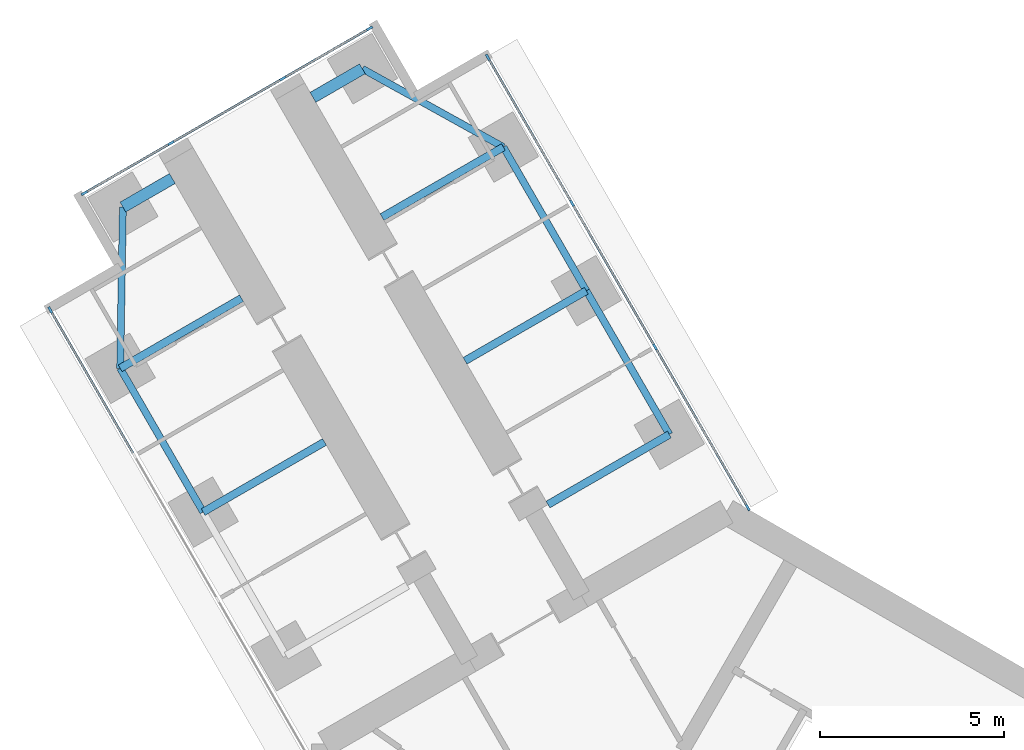
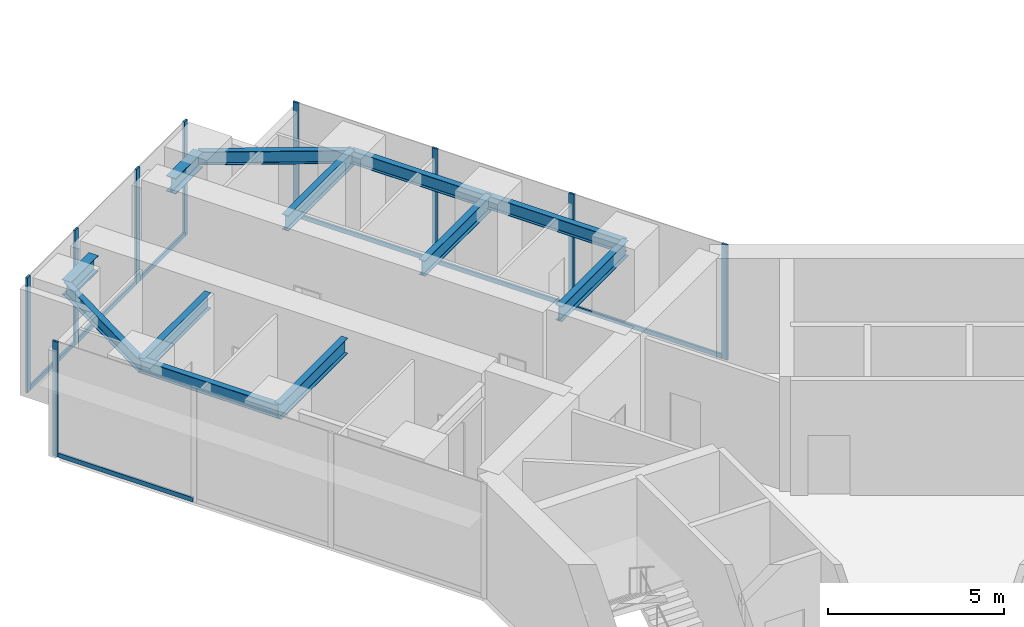
# One storey, part 7 of 25: 16 members, 12 beams, 3 elements without a shape of their own.
"""IFC4 building model written with IfcOpenShell, lengths in metres."""

from ifc_helpers import new_model, si_unit, direction, frame, origin, origin_2d, place, context, subcontext, project, spatial, rectangle, i_section, extrude, material, material_profile, profile_set, type_object, element, aggregate, save


model = new_model("IFC4")

# Units and contexts
model_context = context("Model", 3, precision=1e-05, world=origin(), true_north=direction((0.0, 1.0)))
body_context = subcontext(model_context, "Body", "Model", "MODEL_VIEW")
ifc_project = project(units=[si_unit("LENGTHUNIT", "METRE"), si_unit("AREAUNIT", "SQUARE_METRE"), si_unit("VOLUMEUNIT", "CUBIC_METRE"), si_unit("PLANEANGLEUNIT", "RADIAN"), si_unit("MASSUNIT", "GRAM", prefix="KILO")], contexts=[model_context])

# Site, building, storey
site_placement = place(None, origin())
site = spatial("IfcSite", under=ifc_project, at=site_placement, CompositionType="ELEMENT")
building_placement = place(site_placement, origin())
building = spatial("IfcBuilding", under=site, at=building_placement, Name="Upepo Twin Towers", CompositionType="ELEMENT")
storey_placement = place(building_placement, frame((0.0, 0.0, 88.5)))
storey = spatial("IfcBuildingStorey", under=building, at=storey_placement, Name="L21", CompositionType="ELEMENT", Elevation=88.5)

# Beams
ifc_material_1 = material(Name="Steel S355", Category="steel")
ifc_material_profile_1 = material_profile(ifc_material_1, i_section(OverallWidth=0.1904296875, OverallDepth=0.45703125, WebThickness=0.009033203125, FlangeThickness=0.014404296875, FilletRadius=0.01025390625, at=origin_2d()), Name="UB 457x191x74")
ifc_profile_set_1 = profile_set([ifc_material_profile_1], Name="Steel S355")
beam_type_1 = type_object("IfcBeamType", Name="Beam UB 457x191x74", PredefinedType="BEAM", material=ifc_profile_set_1)
beam_1_placement = place(storey_placement, frame((-14.196044921875, 12.58837890625, 3.471435546875), z_axis=(-0.499990139034, 0.866031096941, 0.0), x_axis=(-0.866031096941, -0.499990139034, 0.0)))
element("IfcBeam", 1, at=beam_1_placement, inside=storey, type_object=beam_type_1, Name="T1 edge beam BL 18.0-22.5", PredefinedType="BEAM", context=body_context, shape_type="SweptSolid", body=[
    extrude(i_section(OverallWidth=0.1904296875, OverallDepth=0.45703125, WebThickness=0.009033203125, FlangeThickness=0.014404296875, FilletRadius=0.01025390625, at=origin_2d()), origin(), (0.0, 0.0, 1.0), 4.5),
])
beam_2_placement = place(storey_placement, frame((-16.446044921875, 16.485595703125, 3.471435546875), z_axis=(0.016803880528, 0.999858804832, 0.0), x_axis=(-0.999858804832, 0.016803880528, 0.0)))
element("IfcBeam", 2, at=beam_2_placement, inside=storey, type_object=beam_type_1, Name="T1 nose edge beam BL", PredefinedType="BEAM", context=body_context, shape_type="SweptSolid", body=[
    extrude(i_section(OverallWidth=0.1904296875, OverallDepth=0.45703125, WebThickness=0.009033203125, FlangeThickness=0.014404296875, FilletRadius=0.01025390625, at=origin_2d()), origin(), (0.0, 0.0, 1.0), 4.373291015625),
])
beam_3_placement = place(storey_placement, frame((-1.553955078125, 14.69140625, 3.471435546875), z_axis=(-0.500013631625, 0.866017533419, 0.0), x_axis=(-0.866017533419, -0.500013631625, 0.0)))
element("IfcBeam", 3, at=beam_3_placement, inside=storey, type_object=beam_type_1, Name="T1 edge beam BR 13.5-18.0", PredefinedType="BEAM", context=body_context, shape_type="SweptSolid", body=[
    extrude(i_section(OverallWidth=0.1904296875, OverallDepth=0.45703125, WebThickness=0.009033203125, FlangeThickness=0.014404296875, FilletRadius=0.01025390625, at=origin_2d()), origin(), (0.0, 0.0, 1.0), 4.499755859375),
])
beam_4_placement = place(storey_placement, frame((-3.803955078125, 18.58837890625, 3.471435546875), z_axis=(-0.499990139034, 0.866031096941, 0.0), x_axis=(-0.866031096941, -0.499990139034, 0.0)))
element("IfcBeam", 4, at=beam_4_placement, inside=storey, type_object=beam_type_1, Name="T1 edge beam BR 18.0-22.5", PredefinedType="BEAM", context=body_context, shape_type="SweptSolid", body=[
    extrude(i_section(OverallWidth=0.1904296875, OverallDepth=0.45703125, WebThickness=0.009033203125, FlangeThickness=0.014404296875, FilletRadius=0.01025390625, at=origin_2d()), origin(), (0.0, 0.0, 1.0), 4.5),
])
beam_5_placement = place(storey_placement, frame((-6.053955078125, 22.485595703125, 3.471435546875), z_axis=(-0.874312600038, 0.485363242752, 0.0), x_axis=(-0.485363242752, -0.874312600038, 0.0)))
element("IfcBeam", 5, at=beam_5_placement, inside=storey, type_object=beam_type_1, Name="T1 nose edge beam BR", PredefinedType="BEAM", context=body_context, shape_type="SweptSolid", body=[
    extrude(i_section(OverallWidth=0.1904296875, OverallDepth=0.45703125, WebThickness=0.009033203125, FlangeThickness=0.014404296875, FilletRadius=0.01025390625, at=origin_2d()), origin(), (0.0, 0.0, 1.0), 4.373046875),
])
ifc_material_2 = material(Name="Steel S355", Category="steel")
ifc_material_profile_2 = material_profile(ifc_material_2, i_section(OverallWidth=0.209228515625, OverallDepth=0.533203125, WebThickness=0.010009765625, FlangeThickness=0.015625, FilletRadius=0.0126953125, at=origin_2d()), Name="UB 533x210x92")
ifc_profile_set_2 = profile_set([ifc_material_profile_2], Name="Steel S355")
beam_type_2 = type_object("IfcBeamType", Name="Beam UB 533x210x92", PredefinedType="BEAM", material=ifc_profile_set_2)
beam_6_placement = place(storey_placement, frame((-14.196044921875, 12.58837890625, 3.433349609375), z_axis=(0.866000483506, 0.500043160704, 0.0), x_axis=(-0.500043160704, 0.866000483506, 0.0)))
element("IfcBeam", 6, at=beam_6_placement, inside=storey, type_object=beam_type_2, Name="T1 girder BL at 18.0", PredefinedType="BEAM", context=body_context, shape_type="SweptSolid", body=[
    extrude(i_section(OverallWidth=0.209228515625, OverallDepth=0.533203125, WebThickness=0.010009765625, FlangeThickness=0.015625, FilletRadius=0.0126953125, at=origin_2d()), origin(), (0.0, 0.0, 1.0), 3.800048828125),
])
beam_7_placement = place(storey_placement, frame((-16.446044921875, 16.485595703125, 3.433349609375), z_axis=(0.866028304915, 0.499994975061, 0.0), x_axis=(-0.499994975061, 0.866028304915, 0.0)))
element("IfcBeam", 7, at=beam_7_placement, inside=storey, type_object=beam_type_2, Name="T1 girder BL at 22.5", PredefinedType="BEAM", context=body_context, shape_type="SweptSolid", body=[
    extrude(i_section(OverallWidth=0.209228515625, OverallDepth=0.533203125, WebThickness=0.010009765625, FlangeThickness=0.015625, FilletRadius=0.0126953125, at=origin_2d()), origin(), (0.0, 0.0, 1.0), 3.7998046875),
])
beam_8_placement = place(storey_placement, frame((-1.553955078125, 14.69140625, 3.433349609375), z_axis=(-0.866000483506, -0.500043160704, 0.0), x_axis=(0.500043160704, -0.866000483506, 0.0)))
element("IfcBeam", 8, at=beam_8_placement, inside=storey, type_object=beam_type_2, Name="T1 girder BR at 13.5", PredefinedType="BEAM", context=body_context, shape_type="SweptSolid", body=[
    extrude(i_section(OverallWidth=0.209228515625, OverallDepth=0.533203125, WebThickness=0.010009765625, FlangeThickness=0.015625, FilletRadius=0.0126953125, at=origin_2d()), origin(), (0.0, 0.0, 1.0), 3.800048828125),
])
for number, where, z_axis, x_axis, name in (
    (9, (-3.803955078125, 18.58837890625, 3.433349609375), (-0.866028304915, -0.499994975061, 0.0), (0.499994975061, -0.866028304915, 0.0), "T1 girder BR at 18.0"),
    (10, (-6.053955078125, 22.485595703125, 3.433349609375), (-0.866028304915, -0.499994975061, 0.0), (0.499994975061, -0.866028304915, 0.0), "T1 girder BR at 22.5"),
):
    element("IfcBeam", number, at=place(storey_placement, frame(where, z_axis=z_axis, x_axis=x_axis)), inside=storey, type_object=beam_type_2, Name=name, PredefinedType="BEAM", context=body_context, shape_type="SweptSolid", body=[
        extrude(i_section(OverallWidth=0.209228515625, OverallDepth=0.533203125, WebThickness=0.010009765625, FlangeThickness=0.015625, FilletRadius=0.0126953125, at=origin_2d()), origin(), (0.0, 0.0, 1.0), 3.7998046875),
    ])
ifc_material_3 = material(Name="Steel S355", Category="steel")
ifc_material_profile_3 = material_profile(ifc_material_3, i_section(OverallWidth=0.31201171875, OverallDepth=0.54345703125, WebThickness=0.0126953125, FlangeThickness=0.020263671875, FilletRadius=0.0126953125, at=origin_2d()), Name="UB 533x312x150")
ifc_profile_set_3 = profile_set([ifc_material_profile_3], Name="Steel S355")
beam_type_3 = type_object("IfcBeamType", Name="Beam UB 533x312x150", PredefinedType="BEAM", material=ifc_profile_set_3)
for number, where, z_axis, x_axis, name in (
    (11, (-16.37255859375, 20.858154296875, 3.42822265625), (0.866043940782, 0.499967891604, 0.0), (-0.499967891604, 0.866043940782, 0.0), "T1 nose beam BL"),
    (12, (-9.87744140625, 24.608154296875, 3.42822265625), (-0.866043940782, -0.499967891604, 0.0), (0.499967891604, -0.866043940782, 0.0), "T1 nose beam BR"),
):
    element("IfcBeam", number, at=place(storey_placement, frame(where, z_axis=z_axis, x_axis=x_axis)), inside=storey, type_object=beam_type_3, Name=name, PredefinedType="BEAM", context=body_context, shape_type="SweptSolid", body=[
        extrude(i_section(OverallWidth=0.31201171875, OverallDepth=0.54345703125, WebThickness=0.0126953125, FlangeThickness=0.020263671875, FilletRadius=0.0126953125, at=origin_2d()), origin(), (0.0, 0.0, 1.0), 1.5498046875),
    ])

# Curtain wall, member
ifc_material_4 = material(Name="Aluminium and fritted glass", Category="aluminium")
curtain_wall_type = type_object("IfcCurtainWallType", Name="Tower curtain wall TW1, fritted glass", PredefinedType="NOTDEFINED", material=ifc_material_4)
curtain_wall_1_placement = place(storey_placement, origin())
curtain_wall_1 = element("IfcCurtainWall", 13, at=curtain_wall_1_placement, inside=storey, type_object=curtain_wall_type, Name="T1 L21 wing B flank L curtain wall", PredefinedType="NOTDEFINED")
ifc_material_5 = material(Name="Aluminium mullion", Category="aluminium")
ifc_material_profile_4 = material_profile(ifc_material_5, rectangle(XDim=0.06494140625, YDim=0.179931640625, at=origin_2d()), Name="MULLION 65x180")
ifc_profile_set_4 = profile_set([ifc_material_profile_4], Name="Aluminium mullion")
member_type_1 = type_object("IfcMemberType", Name="Mullion 65x180 TW1", PredefinedType="MULLION", material=ifc_profile_set_4)
member_1_placement = place(storey_placement, frame((-18.341064453125, 18.067626953125, 0.0), z_axis=(0.0, 0.0, 1.0), x_axis=(-0.866025389682, -0.500000024426, 0.0)))
member_1 = element("IfcMember", 14, at=member_1_placement, type_object=member_type_1, Name="T1 L21 wing B flank L curtain wall mullion 4", PredefinedType="MULLION", context=body_context, shape_type="SweptSolid", body=[
    extrude(rectangle(XDim=0.06494140625, YDim=0.179931640625, at=origin_2d()), origin(), (0.0, 0.0, 1.0), 4.0),
])

# Curtain wall, members
curtain_wall_2_placement = place(storey_placement, origin())
curtain_wall_2 = element("IfcCurtainWall", 15, at=curtain_wall_2_placement, inside=storey, type_object=curtain_wall_type, Name="T1 L21 wing B flank R curtain wall", PredefinedType="NOTDEFINED")
member_2_placement = place(storey_placement, frame((-6.4765625, 24.91748046875, 0.0), z_axis=(0.0, 0.0, 1.0), x_axis=(0.866025389682, 0.500000024426, 0.0)))
member_2 = element("IfcMember", 16, at=member_2_placement, type_object=member_type_1, Name="T1 L21 wing B flank R curtain wall mullion 1", PredefinedType="MULLION", context=body_context, shape_type="SweptSolid", body=[
    extrude(rectangle(XDim=0.06494140625, YDim=0.179931640625, at=origin_2d()), origin(), (0.0, 0.0, 1.0), 4.0),
])
member_3_placement = place(storey_placement, frame((-4.192626953125, 20.9619140625, 0.0), z_axis=(0.0, 0.0, 1.0), x_axis=(0.866025389682, 0.500000024426, 0.0)))
member_3 = element("IfcMember", 17, at=member_3_placement, type_object=member_type_1, Name="T1 L21 wing B flank R curtain wall mullion 2", PredefinedType="MULLION", context=body_context, shape_type="SweptSolid", body=[
    extrude(rectangle(XDim=0.06494140625, YDim=0.179931640625, at=origin_2d()), origin(), (0.0, 0.0, 1.0), 4.0),
])
member_4_placement = place(storey_placement, frame((-1.942626953125, 17.06494140625, 0.0), z_axis=(0.0, 0.0, 1.0), x_axis=(0.866025389682, 0.500000024426, 0.0)))
member_4 = element("IfcMember", 18, at=member_4_placement, type_object=member_type_1, Name="T1 L21 wing B flank R curtain wall mullion 3", PredefinedType="MULLION", context=body_context, shape_type="SweptSolid", body=[
    extrude(rectangle(XDim=0.06494140625, YDim=0.179931640625, at=origin_2d()), origin(), (0.0, 0.0, 1.0), 4.0),
])
member_5_placement = place(storey_placement, frame((0.572509765625, 12.70849609375, 0.0), z_axis=(0.0, 0.0, 1.0), x_axis=(0.866025389682, 0.500000024426, 0.0)))
member_5 = element("IfcMember", 19, at=member_5_placement, type_object=member_type_1, Name="T1 L21 wing B flank R curtain wall mullion 4", PredefinedType="MULLION", context=body_context, shape_type="SweptSolid", body=[
    extrude(rectangle(XDim=0.06494140625, YDim=0.179931640625, at=origin_2d()), origin(), (0.0, 0.0, 1.0), 4.0),
])

curtain_wall_3_placement = place(storey_placement, origin())
curtain_wall_3 = element("IfcCurtainWall", 20, at=curtain_wall_3_placement, inside=storey, type_object=curtain_wall_type, Name="T1 L21 wing B nose curtain wall", PredefinedType="NOTDEFINED")
member_6_placement = place(storey_placement, frame((-9.68115234375, 25.703125, 0.0), z_axis=(0.0, 0.0, 1.0), x_axis=(0.500000030502, -0.866025386174, 0.0)))
member_6 = element("IfcMember", 21, at=member_6_placement, type_object=member_type_1, Name="T1 L21 wing B nose curtain wall mullion 1", PredefinedType="MULLION", context=body_context, shape_type="SweptSolid", body=[
    extrude(rectangle(XDim=0.06494140625, YDim=0.179931640625, at=origin_2d()), origin(), (0.0, 0.0, 1.0), 4.0),
])
member_7_placement = place(storey_placement, frame((-12.034423828125, 24.34423828125, 0.0), z_axis=(0.0, 0.0, 1.0), x_axis=(0.500000030502, -0.866025386174, 0.0)))
member_7 = element("IfcMember", 22, at=member_7_placement, type_object=member_type_1, Name="T1 L21 wing B nose curtain wall mullion 2", PredefinedType="MULLION", context=body_context, shape_type="SweptSolid", body=[
    extrude(rectangle(XDim=0.06494140625, YDim=0.179931640625, at=origin_2d()), origin(), (0.0, 0.0, 1.0), 4.0),
])
member_8_placement = place(storey_placement, frame((-15.0654296875, 22.59423828125, 0.0), z_axis=(0.0, 0.0, 1.0), x_axis=(0.500000030502, -0.866025386174, 0.0)))
member_8 = element("IfcMember", 23, at=member_8_placement, type_object=member_type_1, Name="T1 L21 wing B nose curtain wall mullion 3", PredefinedType="MULLION", context=body_context, shape_type="SweptSolid", body=[
    extrude(rectangle(XDim=0.06494140625, YDim=0.179931640625, at=origin_2d()), origin(), (0.0, 0.0, 1.0), 4.0),
])
member_9_placement = place(storey_placement, frame((-17.4189453125, 21.235595703125, 0.0), z_axis=(0.0, 0.0, 1.0), x_axis=(0.500000030502, -0.866025386174, 0.0)))
member_9 = element("IfcMember", 24, at=member_9_placement, type_object=member_type_1, Name="T1 L21 wing B nose curtain wall mullion 4", PredefinedType="MULLION", context=body_context, shape_type="SweptSolid", body=[
    extrude(rectangle(XDim=0.06494140625, YDim=0.179931640625, at=origin_2d()), origin(), (0.0, 0.0, 1.0), 4.0),
])

# Member
ifc_material_6 = material(Name="Aluminium transom", Category="aluminium")
ifc_material_profile_5 = material_profile(ifc_material_6, rectangle(XDim=0.06494140625, YDim=0.14990234375, at=origin_2d()), Name="TRANSOM 65x150")
ifc_profile_set_5 = profile_set([ifc_material_profile_5], Name="Aluminium transom")
member_type_2 = type_object("IfcMemberType", Name="Transom 65x150 TW1", PredefinedType="USERDEFINED", material=ifc_profile_set_5)
member_10_placement = place(storey_placement, frame((-16.073486328125, 14.14013671875, 0.074951171875), z_axis=(-0.499982167615, 0.866035699072, 0.0), x_axis=(-0.866035699072, -0.499982167615, 0.0)))
member_10 = element("IfcMember", 25, at=member_10_placement, type_object=member_type_2, Name="T1 L21 wing B flank L curtain wall transom 3", ObjectType="TRANSOM", PredefinedType="USERDEFINED", context=body_context, shape_type="SweptSolid", body=[
    extrude(rectangle(XDim=0.06494140625, YDim=0.14990234375, at=origin_2d()), origin(), (0.0, 0.0, 1.0), 4.502685546875),
])

aggregate(curtain_wall_1, [member_1, member_10])

member_11_placement = place(storey_placement, frame((-6.460205078125, 24.889404296875, 0.074951171875), z_axis=(0.500005646842, -0.866022143554, 0.0), x_axis=(0.866022143554, 0.500005646842, 0.0)))
member_11 = element("IfcMember", 26, at=member_11_placement, type_object=member_type_2, Name="T1 L21 wing B flank R curtain wall transom 1", ObjectType="TRANSOM", PredefinedType="USERDEFINED", context=body_context, shape_type="SweptSolid", body=[
    extrude(rectangle(XDim=0.06494140625, YDim=0.14990234375, at=origin_2d()), origin(), (0.0, 0.0, 1.0), 4.50244140625),
])

member_12_placement = place(storey_placement, frame((-4.176513671875, 20.933837890625, 0.074951171875), z_axis=(0.500005184116, -0.866022410713, 0.0), x_axis=(0.866022410713, 0.500005184116, 0.0)))
member_12 = element("IfcMember", 27, at=member_12_placement, type_object=member_type_2, Name="T1 L21 wing B flank R curtain wall transom 2", ObjectType="TRANSOM", PredefinedType="USERDEFINED", context=body_context, shape_type="SweptSolid", body=[
    extrude(rectangle(XDim=0.06494140625, YDim=0.14990234375, at=origin_2d()), origin(), (0.0, 0.0, 1.0), 4.43505859375),
])

member_13_placement = place(storey_placement, frame((-1.926513671875, 17.036865234375, 0.074951171875), z_axis=(0.499983492876, -0.866034933967, 0.0), x_axis=(0.866034933967, 0.499983492876, 0.0)))
member_13 = element("IfcMember", 28, at=member_13_placement, type_object=member_type_2, Name="T1 L21 wing B flank R curtain wall transom 3", ObjectType="TRANSOM", PredefinedType="USERDEFINED", context=body_context, shape_type="SweptSolid", body=[
    extrude(rectangle(XDim=0.06494140625, YDim=0.14990234375, at=origin_2d()), origin(), (0.0, 0.0, 1.0), 4.965576171875),
])

aggregate(curtain_wall_2, [member_2, member_3, member_4, member_5, member_11, member_12, member_13])

member_14_placement = place(storey_placement, frame((-9.709228515625, 25.686767578125, 0.074951171875), z_axis=(-0.866036909293, -0.499980071345, 0.0), x_axis=(0.499980071345, -0.866036909293, 0.0)))
member_14 = element("IfcMember", 29, at=member_14_placement, type_object=member_type_2, Name="T1 L21 wing B nose curtain wall transom 1", ObjectType="TRANSOM", PredefinedType="USERDEFINED", context=body_context, shape_type="SweptSolid", body=[
    extrude(rectangle(XDim=0.06494140625, YDim=0.14990234375, at=origin_2d()), origin(), (0.0, 0.0, 1.0), 2.65234375),
])

member_15_placement = place(storey_placement, frame((-12.0625, 24.328125, 0.074951171875), z_axis=(-0.866025804792, -0.499999305434, 0.0), x_axis=(0.499999305434, -0.866025804792, 0.0)))
member_15 = element("IfcMember", 30, at=member_15_placement, type_object=member_type_2, Name="T1 L21 wing B nose curtain wall transom 2", ObjectType="TRANSOM", PredefinedType="USERDEFINED", context=body_context, shape_type="SweptSolid", body=[
    extrude(rectangle(XDim=0.06494140625, YDim=0.14990234375, at=origin_2d()), origin(), (0.0, 0.0, 1.0), 3.43505859375),
])

member_16_placement = place(storey_placement, frame((-15.09375, 22.578125, 0.074951171875), z_axis=(-0.865997053448, -0.500049101008, 0.0), x_axis=(0.500049101008, -0.865997053448, 0.0)))
member_16 = element("IfcMember", 31, at=member_16_placement, type_object=member_type_2, Name="T1 L21 wing B nose curtain wall transom 3", ObjectType="TRANSOM", PredefinedType="USERDEFINED", context=body_context, shape_type="SweptSolid", body=[
    extrude(rectangle(XDim=0.06494140625, YDim=0.14990234375, at=origin_2d()), origin(), (0.0, 0.0, 1.0), 2.652587890625),
])

aggregate(curtain_wall_3, [member_6, member_7, member_8, member_9, member_14, member_15, member_16])

save(model, "model.ifc")
